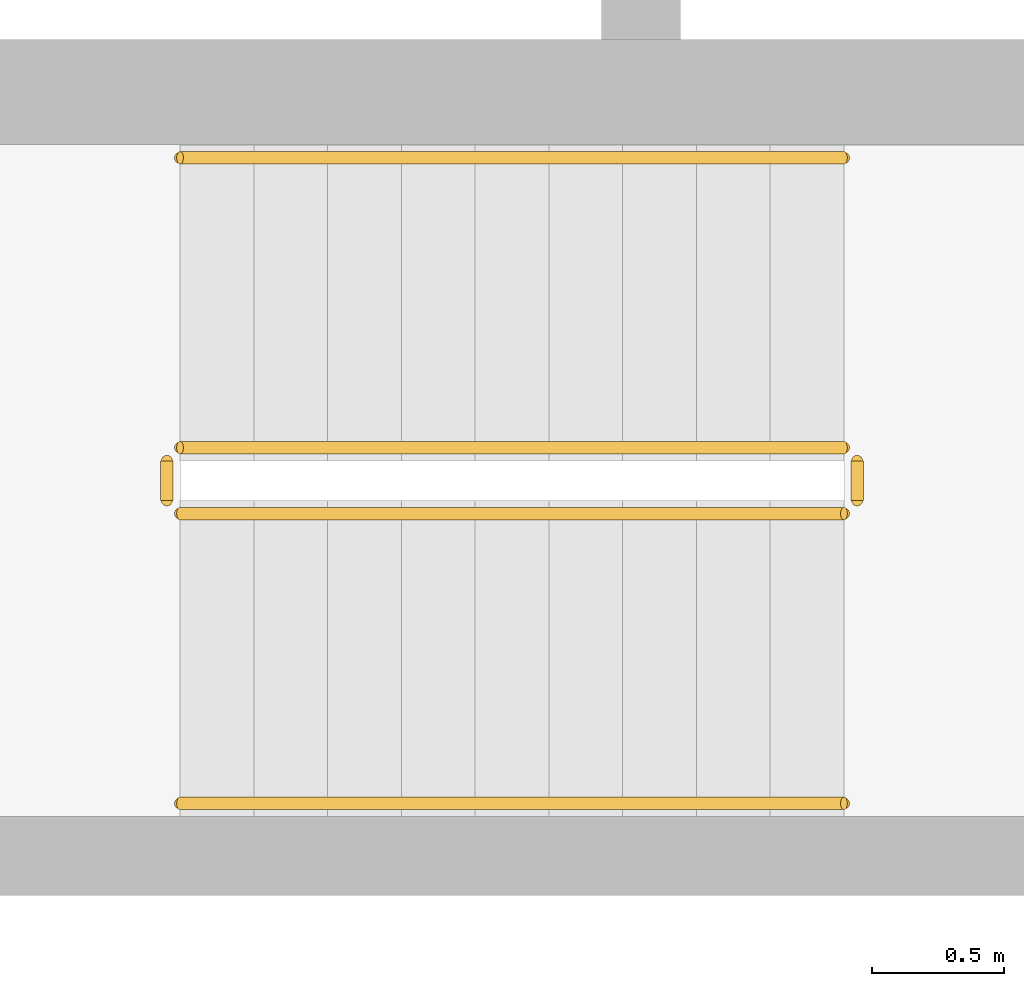
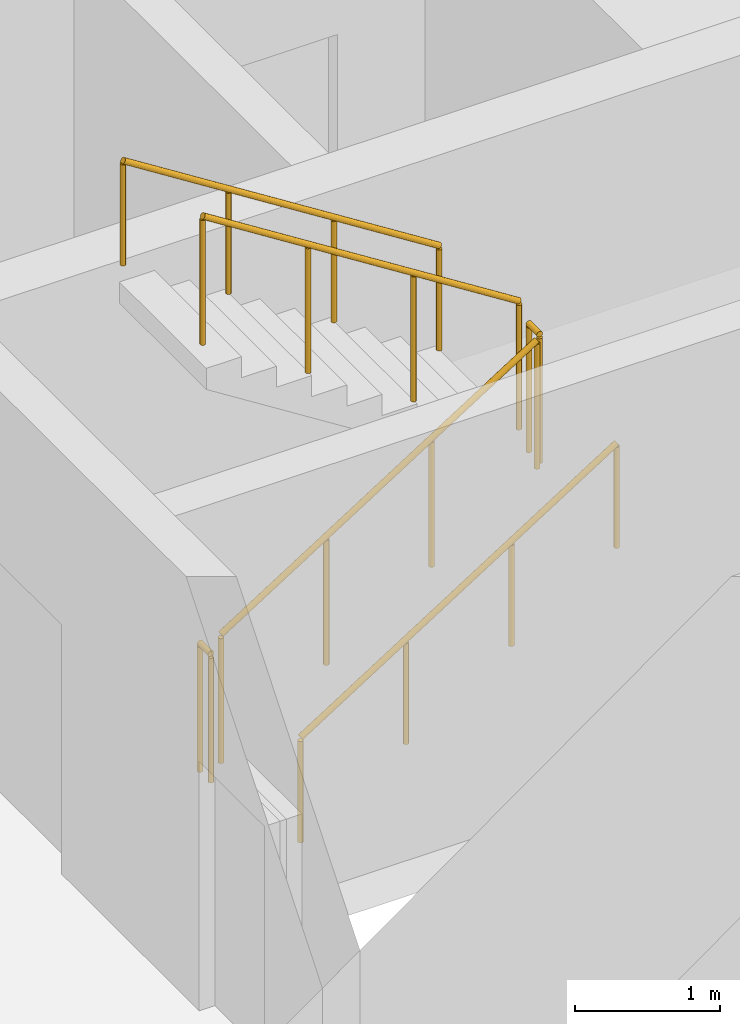
# One storey, part 16 of 19: 6 railings.
"""IFC4 building model written with IfcOpenShell, lengths in metres."""

from ifc_helpers import new_model, si_unit, direction, frame, origin, origin_2d, place, context, subcontext, project, spatial, circle, extrude, material, type_object, element, save


model = new_model("IFC4")

# Units and contexts
model_context = context("Model", 3, precision=1e-05, world=origin(), true_north=direction((0.0, 1.0)))
body_context = subcontext(model_context, "Body", "Model", "MODEL_VIEW")
ifc_project = project(units=[si_unit("LENGTHUNIT", "METRE"), si_unit("AREAUNIT", "SQUARE_METRE"), si_unit("VOLUMEUNIT", "CUBIC_METRE"), si_unit("PLANEANGLEUNIT", "RADIAN"), si_unit("MASSUNIT", "GRAM", prefix="KILO")], contexts=[model_context])

# Site, building, storey
site_placement = place(None, origin())
site = spatial("IfcSite", under=ifc_project, at=site_placement, CompositionType="ELEMENT")
building_placement = place(site_placement, origin())
building = spatial("IfcBuilding", under=site, at=building_placement, Name="Ostrand Prow Hotel Tower", CompositionType="ELEMENT")
storey_placement = place(building_placement, frame((0.0, 0.0, 53.800048828125)))
storey = spatial("IfcBuildingStorey", under=building, at=storey_placement, Name="L11", CompositionType="ELEMENT", Elevation=53.800048828125)

# Railings
ifc_material_1 = material(Name="Painted steel", Category="steel")
railing_type_1 = type_object("IfcRailingType", Name="Stair guard 1100", PredefinedType="GUARDRAIL", material=ifc_material_1)
railing_1_placement = place(storey_placement, frame((57.199951171875, -11.75, 0.177490234375)))
element("IfcRailing", 1, at=railing_1_placement, inside=storey, type_object=railing_type_1, Name="L11 ST2C stair guard 1", PredefinedType="GUARDRAIL", context=body_context, shape_type="SweptSolid", body=[
    extrude(circle(Radius=0.02392578125, at=origin_2d()), frame((0.0, 0.0, 1.076171875), z_axis=(0.84460694969, 0.0, 0.535386869969), x_axis=(0.0, 1.0, 0.0)), (0.0, 0.0, 1.0), 2.983642578125),
    extrude(circle(Radius=0.02099609375, at=origin_2d()), origin(), (0.0, 0.0, 1.0), 1.052001953125),
    extrude(circle(Radius=0.02099609375, at=origin_2d()), frame((0.840087890625, 0.0, 0.532470703125)), (0.0, 0.0, 1.0), 1.052001953125),
    extrude(circle(Radius=0.02099609375, at=origin_2d()), frame((1.679931640625, 0.0, 1.06494140625)), (0.0, 0.0, 1.0), 1.052001953125),
    extrude(circle(Radius=0.02099609375, at=origin_2d()), frame((2.52001953125, 0.0, 1.597412109375)), (0.0, 0.0, 1.0), 1.052001953125),
])
railing_2_placement = place(storey_placement, frame((59.77001953125, -11.699951171875, 1.77490234375)))
element("IfcRailing", 2, at=railing_2_placement, inside=storey, type_object=railing_type_1, Name="L11 ST2C stair guard 2", PredefinedType="GUARDRAIL", context=body_context, shape_type="SweptSolid", body=[
    extrude(circle(Radius=0.02392578125, at=origin_2d()), frame((0.0, 0.0, 1.076171875), z_axis=(0.0, 1.0, 0.0), x_axis=(-1.0, 0.0, 0.0)), (0.0, 0.0, 1.0), 0.14990234375),
    extrude(circle(Radius=0.02099609375, at=origin_2d()), origin(), (0.0, 0.0, 1.0), 1.052001953125),
    extrude(circle(Radius=0.02099609375, at=origin_2d()), frame((0.0, 0.14990234375, 0.0)), (0.0, 0.0, 1.0), 1.052001953125),
])
railing_3_placement = place(storey_placement, frame((59.719970703125, -11.5, 1.952392578125)))
element("IfcRailing", 3, at=railing_3_placement, inside=storey, type_object=railing_type_1, Name="L11 ST2C stair guard 3", PredefinedType="GUARDRAIL", context=body_context, shape_type="SweptSolid", body=[
    extrude(circle(Radius=0.02392578125, at=origin_2d()), frame((0.0, 0.0, 1.076171875), z_axis=(-0.84456994832, 0.0, 0.535445237532), x_axis=(0.0, -1.0, 0.0)), (0.0, 0.0, 1.0), 2.98388671875),
    extrude(circle(Radius=0.02099609375, at=origin_2d()), origin(), (0.0, 0.0, 1.0), 1.052001953125),
    extrude(circle(Radius=0.02099609375, at=origin_2d()), frame((-0.840087890625, 0.0, 0.532470703125)), (0.0, 0.0, 1.0), 1.052001953125),
    extrude(circle(Radius=0.02099609375, at=origin_2d()), frame((-1.679931640625, 0.0, 1.065185546875)), (0.0, 0.0, 1.0), 1.052001953125),
    extrude(circle(Radius=0.02099609375, at=origin_2d()), frame((-2.52001953125, 0.0, 1.59765625)), (0.0, 0.0, 1.0), 1.052001953125),
])
railing_4_placement = place(storey_placement, frame((57.14990234375, -11.699951171875, 0.0)))
element("IfcRailing", 4, at=railing_4_placement, inside=storey, type_object=railing_type_1, Name="L11 ST2C stair guard 4", PredefinedType="GUARDRAIL", context=body_context, shape_type="SweptSolid", body=[
    extrude(circle(Radius=0.02392578125, at=origin_2d()), frame((0.0, 0.0, 1.076171875), z_axis=(0.0, 1.0, 0.0), x_axis=(-1.0, 0.0, 0.0)), (0.0, 0.0, 1.0), 0.14990234375),
    extrude(circle(Radius=0.02099609375, at=origin_2d()), origin(), (0.0, 0.0, 1.0), 1.052001953125),
    extrude(circle(Radius=0.02099609375, at=origin_2d()), frame((0.0, 0.14990234375, 0.0)), (0.0, 0.0, 1.0), 1.052001953125),
])
ifc_material_2 = material(Name="Stainless steel", Category="steel")
railing_type_2 = type_object("IfcRailingType", Name="Stair handrail 900", PredefinedType="HANDRAIL", material=ifc_material_2)
railing_5_placement = place(storey_placement, frame((57.199951171875, -12.85009765625, 0.177490234375)))
element("IfcRailing", 5, at=railing_5_placement, inside=storey, type_object=railing_type_2, Name="L11 ST2C stair handrail 1", PredefinedType="HANDRAIL", context=body_context, shape_type="SweptSolid", body=[
    extrude(circle(Radius=0.02392578125, at=origin_2d()), frame((0.0, 0.0, 0.8759765625), z_axis=(0.84460694969, 0.0, 0.535386869969), x_axis=(0.0, 1.0, 0.0)), (0.0, 0.0, 1.0), 2.983642578125),
    extrude(circle(Radius=0.02099609375, at=origin_2d()), origin(), (0.0, 0.0, 1.0), 0.851806640625),
    extrude(circle(Radius=0.02099609375, at=origin_2d()), frame((0.840087890625, 0.0, 0.532470703125)), (0.0, 0.0, 1.0), 0.851806640625),
    extrude(circle(Radius=0.02099609375, at=origin_2d()), frame((1.679931640625, 0.0, 1.06494140625)), (0.0, 0.0, 1.0), 0.851806640625),
    extrude(circle(Radius=0.02099609375, at=origin_2d()), frame((2.52001953125, 0.0, 1.597412109375)), (0.0, 0.0, 1.0), 0.851806640625),
])
railing_6_placement = place(storey_placement, frame((59.719970703125, -10.39990234375, 1.952392578125)))
element("IfcRailing", 6, at=railing_6_placement, inside=storey, type_object=railing_type_2, Name="L11 ST2C stair handrail 2", PredefinedType="HANDRAIL", context=body_context, shape_type="SweptSolid", body=[
    extrude(circle(Radius=0.02392578125, at=origin_2d()), frame((0.0, 0.0, 0.8759765625), z_axis=(-0.84456994832, 0.0, 0.535445237532), x_axis=(0.0, -1.0, 0.0)), (0.0, 0.0, 1.0), 2.98388671875),
    extrude(circle(Radius=0.02099609375, at=origin_2d()), origin(), (0.0, 0.0, 1.0), 0.851806640625),
    extrude(circle(Radius=0.02099609375, at=origin_2d()), frame((-0.840087890625, 0.0, 0.532470703125)), (0.0, 0.0, 1.0), 0.851806640625),
    extrude(circle(Radius=0.02099609375, at=origin_2d()), frame((-1.679931640625, 0.0, 1.065185546875)), (0.0, 0.0, 1.0), 0.851806640625),
    extrude(circle(Radius=0.02099609375, at=origin_2d()), frame((-2.52001953125, 0.0, 1.59765625)), (0.0, 0.0, 1.0), 0.851806640625),
])

save(model, "model.ifc")
